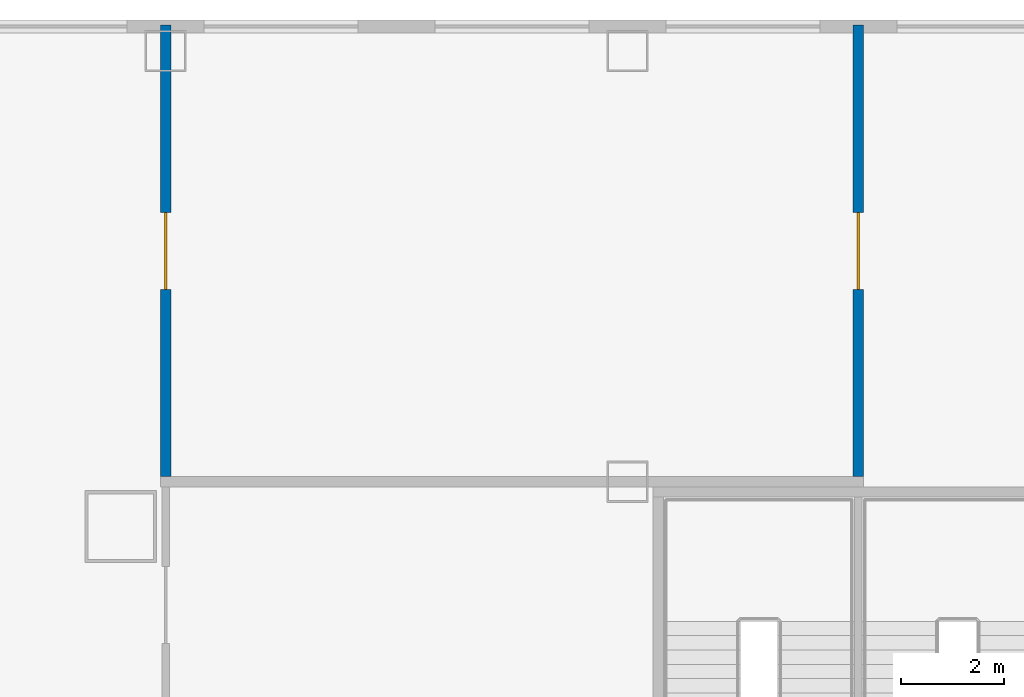
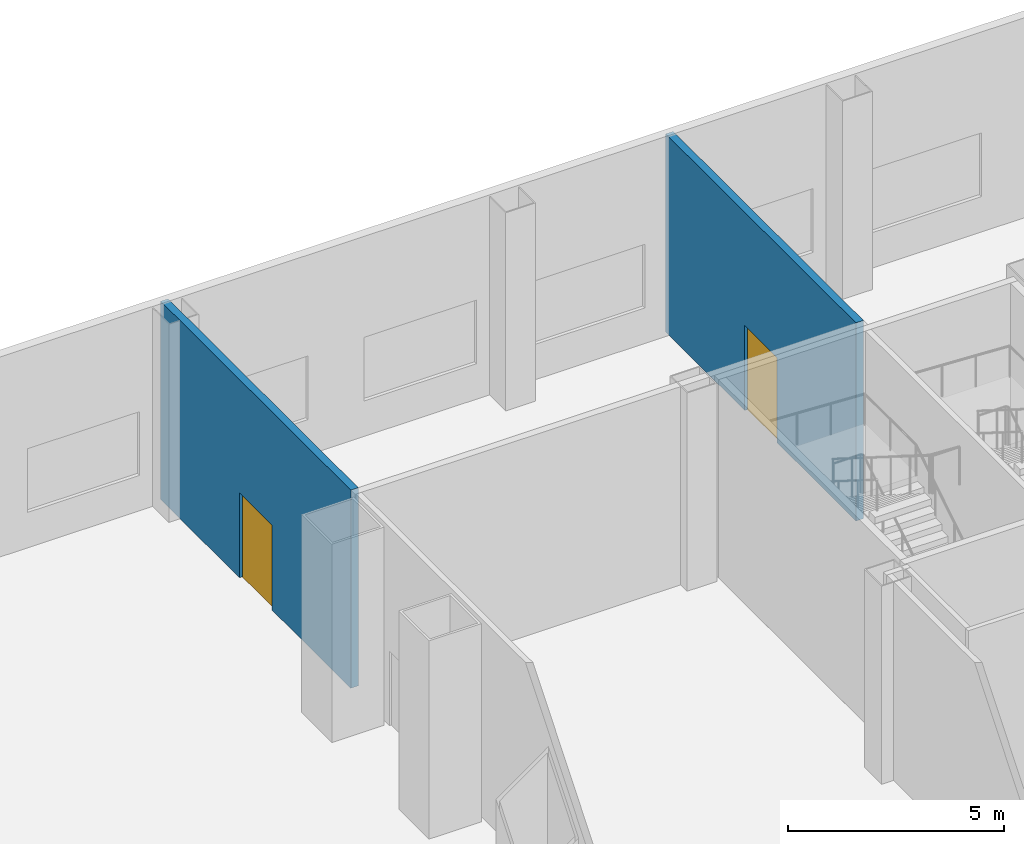
# One storey, part 24 of 33: 2 doors, 2 walls, 2 openings.
"""IFC4 building model written with IfcOpenShell, lengths in metres."""

from ifc_helpers import new_model, si_unit, direction, frame, frame_2d, origin, place, context, subcontext, project, spatial, rectangle, extrude, material, layer, layer_set, type_object, element, fill, save


model = new_model("IFC4")

# Units and contexts
model_context = context("Model", 3, precision=1e-05, world=origin(), true_north=direction((0.0, 1.0)))
body_context = subcontext(model_context, "Body", "Model", "MODEL_VIEW")
ifc_project = project(units=[si_unit("LENGTHUNIT", "METRE"), si_unit("AREAUNIT", "SQUARE_METRE"), si_unit("VOLUMEUNIT", "CUBIC_METRE"), si_unit("PLANEANGLEUNIT", "RADIAN"), si_unit("MASSUNIT", "GRAM", prefix="KILO")], contexts=[model_context])

# Site, building, storey
site_placement = place(None, origin())
site = spatial("IfcSite", under=ifc_project, at=site_placement, CompositionType="ELEMENT")
building_placement = place(site_placement, origin())
building = spatial("IfcBuilding", under=site, at=building_placement, Name="Shamsa Quay Exchange Towers", CompositionType="ELEMENT")
storey_placement = place(building_placement, frame((0.0, 0.0, 6.5)))
storey = spatial("IfcBuildingStorey", under=building, at=storey_placement, Name="L01", CompositionType="ELEMENT", Elevation=6.5)

# Wall, opening, door
ifc_material_1 = material(Name="Double-leaf gypsum board partition with acoustic insulation")
ifc_layer = layer(ifc_material_1, 0.199951171875)
ifc_layer_set = layer_set([ifc_layer], Name="Acoustic partition 200 mm EI 60")
wall_type = type_object("IfcWallType", Name="Acoustic partition 200 mm EI 60", PredefinedType="PARTITIONING", material=ifc_layer_set)
wall_1_placement = place(storey_placement, frame((-27.0, 24.85009765625, 0.0), z_axis=(0.0, 0.0, 1.0), x_axis=(0.0, 1.0, 0.0)))
wall_1 = element("IfcWall", 1, at=wall_1_placement, inside=storey, type_object=wall_type, Name="Partition PD-L01-W02", PredefinedType="PARTITIONING", context=body_context, shape_type="SweptSolid", body=[
    extrude(rectangle(XDim=8.804931640625, YDim=0.199951171875, at=frame_2d((4.40234375, 0.0))), origin(), (0.0, 0.0, 1.0), 5.60009765625),
])
opening_1_placement = place(wall_1_placement, frame((3.64990234375, 0.0, 0.0)))
opening_1 = element("IfcOpeningElement", 2, at=opening_1_placement, cuts=wall_1, Name="Opening PD-L01-D17", PredefinedType="OPENING", context=body_context, shape_type="SweptSolid", body=[
    extrude(rectangle(XDim=1.5, YDim=2.39990234375, at=frame_2d((0.75, 1.199951171875))), frame((0.0, 0.10986328125, 0.0), z_axis=(0.0, -1.0, 0.0), x_axis=(1.0, 0.0, 0.0)), (0.0, 0.0, 1.0), 0.219970703125),
])
ifc_material_2 = material(Name="Timber door leaf in a metal frame", Category="wood")
door_type = type_object("IfcDoorType", Name="Door 1500x2400 FD30S pair", OperationType="NOTDEFINED", PredefinedType="DOOR", material=ifc_material_2)
door_1_placement = place(opening_1_placement, origin())
door_1 = element("IfcDoor", 3, at=door_1_placement, inside=storey, type_object=door_type, Name="Door PD-L01-D17", OperationType="DOUBLE_DOOR_SINGLE_SWING", OverallHeight=2.39990234375, OverallWidth=1.5, PredefinedType="DOOR", context=body_context, shape_type="SweptSolid", body=[
    extrude(rectangle(XDim=1.5, YDim=2.39990234375, at=frame_2d((0.75, 1.199951171875))), frame((0.0, 0.02490234375, 0.0), z_axis=(0.0, -1.0, 0.0), x_axis=(1.0, 0.0, 0.0)), (0.0, 0.0, 1.0), 0.050048828125),
])
fill(opening_1, door_1)

wall_2_placement = place(storey_placement, frame((-13.5, 33.655029296875, 0.0), z_axis=(0.0, 0.0, 1.0), x_axis=(0.0, -1.0, 0.0)))
wall_2 = element("IfcWall", 4, at=wall_2_placement, inside=storey, type_object=wall_type, Name="Partition PD-L01-W12", PredefinedType="PARTITIONING", context=body_context, shape_type="SweptSolid", body=[
    extrude(rectangle(XDim=8.804931640625, YDim=0.199951171875, at=frame_2d((4.40234375, 0.0))), origin(), (0.0, 0.0, 1.0), 5.60009765625),
])
opening_2_placement = place(wall_2_placement, frame((3.655029296875, 0.0, 0.0)))
opening_2 = element("IfcOpeningElement", 5, at=opening_2_placement, cuts=wall_2, Name="Opening PD-L01-D19", PredefinedType="OPENING", context=body_context, shape_type="SweptSolid", body=[
    extrude(rectangle(XDim=1.5, YDim=2.39990234375, at=frame_2d((0.75, 1.199951171875))), frame((0.0, 0.10986328125, 0.0), z_axis=(0.0, -1.0, 0.0), x_axis=(1.0, 0.0, 0.0)), (0.0, 0.0, 1.0), 0.219970703125),
])
door_2_placement = place(opening_2_placement, origin())
door_2 = element("IfcDoor", 6, at=door_2_placement, inside=storey, type_object=door_type, Name="Door PD-L01-D19", OperationType="DOUBLE_DOOR_SINGLE_SWING", OverallHeight=2.39990234375, OverallWidth=1.5, PredefinedType="DOOR", context=body_context, shape_type="SweptSolid", body=[
    extrude(rectangle(XDim=1.5, YDim=2.39990234375, at=frame_2d((0.75, 1.199951171875))), frame((0.0, 0.02490234375, 0.0), z_axis=(0.0, -1.0, 0.0), x_axis=(1.0, 0.0, 0.0)), (0.0, 0.0, 1.0), 0.050048828125),
])
fill(opening_2, door_2)

save(model, "model.ifc")
